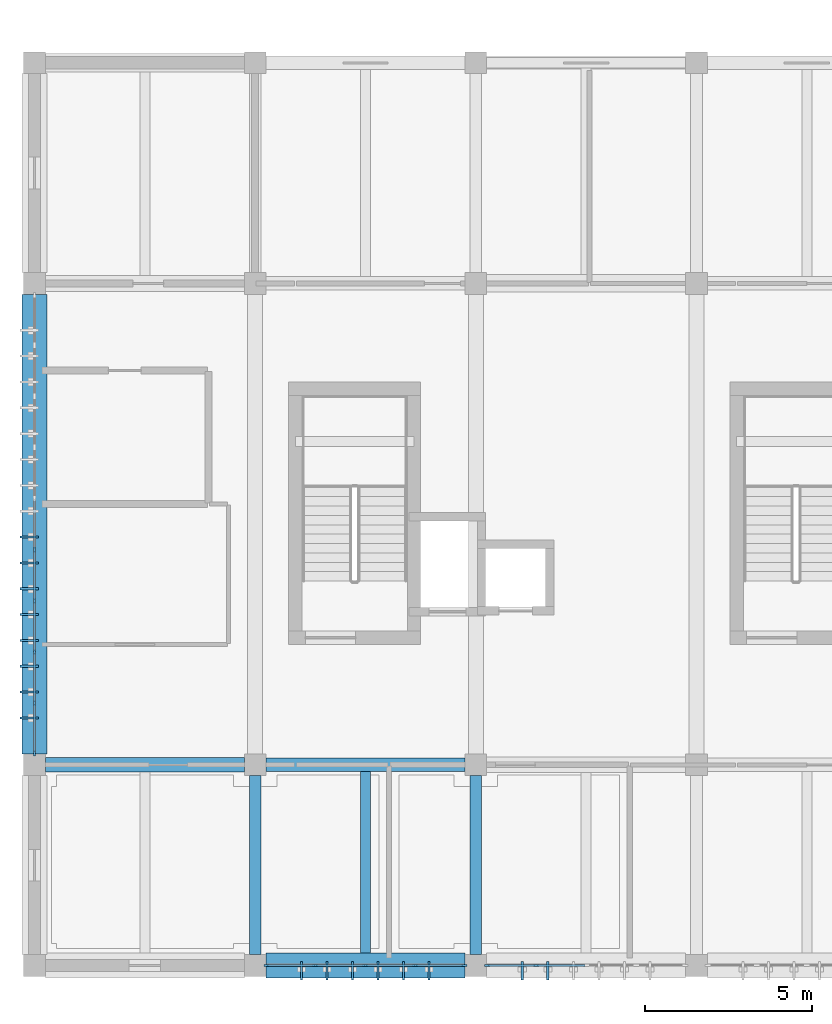
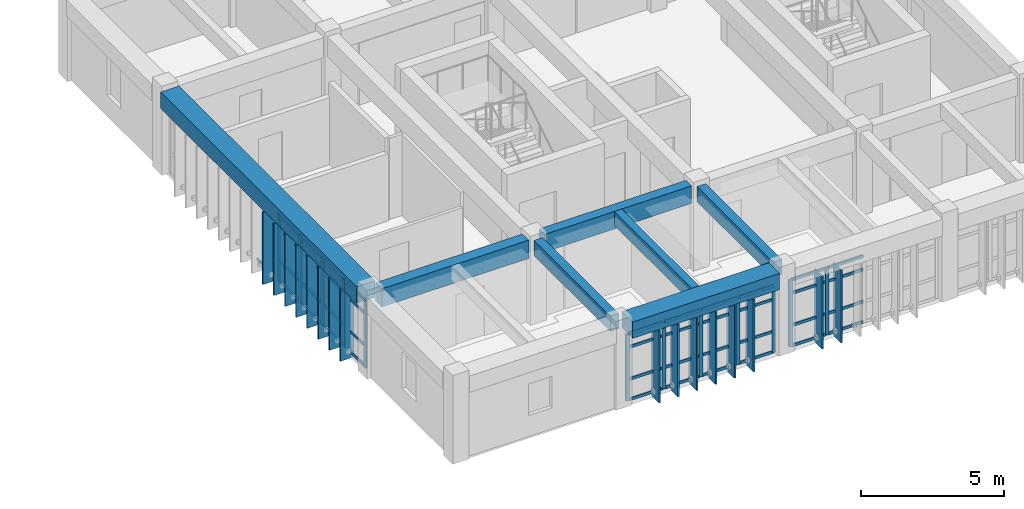
# One storey, part 2 of 9: 69 members, 7 beams, 3 elements without a shape of their own.
"""IFC4 building model written with IfcOpenShell, lengths in metres."""

from ifc_helpers import new_model, si_unit, direction, frame, origin, origin_2d, place, context, subcontext, project, spatial, rectangle, extrude, material, layer, layer_set, material_profile, profile_set, type_object, element, aggregate, save


model = new_model("IFC4")

# Units and contexts
model_context = context("Model", 3, precision=1e-05, world=origin(), true_north=direction((0.0, 1.0)))
body_context = subcontext(model_context, "Body", "Model", "MODEL_VIEW")
ifc_project = project(units=[si_unit("LENGTHUNIT", "METRE"), si_unit("AREAUNIT", "SQUARE_METRE"), si_unit("VOLUMEUNIT", "CUBIC_METRE"), si_unit("PLANEANGLEUNIT", "RADIAN"), si_unit("MASSUNIT", "GRAM", prefix="KILO")], contexts=[model_context])

# Site, building, storey
site_placement = place(None, origin())
site = spatial("IfcSite", under=ifc_project, at=site_placement, CompositionType="ELEMENT")
building_placement = place(site_placement, origin())
building = spatial("IfcBuilding", under=site, at=building_placement, Name="Miralva Faculty of Natural Sciences", CompositionType="ELEMENT")
storey_placement = place(building_placement, frame((0.0, 0.0, 33.0)))
storey = spatial("IfcBuildingStorey", under=building, at=storey_placement, Name="L07", CompositionType="ELEMENT", Elevation=33.0)

# Beams
ifc_material_1 = material(Name="Concrete C40/50", Category="concrete")
ifc_material_profile_1 = material_profile(ifc_material_1, rectangle(XDim=0.39990234375, YDim=0.75, at=origin_2d()), Name="RC 400x750")
ifc_profile_set_1 = profile_set([ifc_material_profile_1], Name="Concrete C40/50")
beam_type_1 = type_object("IfcBeamType", Name="BM-B03", PredefinedType="BEAM", material=ifc_profile_set_1)
beam_1_placement = place(storey_placement, frame((9.925048828125, 9.0, 3.205078125), z_axis=(1.0, 0.0, 0.0), x_axis=(0.0, 1.0, 0.0)))
element("IfcBeam", 1, at=beam_1_placement, inside=storey, type_object=beam_type_1, Name="Girder EW L07-6", PredefinedType="BEAM", context=body_context, shape_type="SweptSolid", body=[
    extrude(rectangle(XDim=0.39990234375, YDim=0.75, at=origin_2d()), origin(), (0.0, 0.0, 1.0), 5.949951171875),
])
ifc_material_profile_2 = material_profile(ifc_material_1, rectangle(XDim=0.35009765625, YDim=0.64990234375, at=origin_2d()), Name="RC 350x650")
ifc_profile_set_2 = profile_set([ifc_material_profile_2], Name="Concrete C40/50")
beam_type_2 = type_object("IfcBeamType", Name="BM-B05", PredefinedType="BEAM", material=ifc_profile_set_2)
for number, where, z_axis, x_axis, name in (
    (2, (9.60009765625, 3.324951171875, 3.2548828125), (0.0, 1.0, 0.0), (-1.0, 0.0, 0.0), "Girder NS L07-20"),
    (3, (16.199951171875, 3.324951171875, 3.2548828125), (0.0, 1.0, 0.0), (-1.0, 0.0, 0.0), "Girder NS L07-23"),
):
    element("IfcBeam", number, at=place(storey_placement, frame(where, z_axis=z_axis, x_axis=x_axis)), inside=storey, type_object=beam_type_2, Name=name, PredefinedType="BEAM", context=body_context, shape_type="SweptSolid", body=[
        extrude(rectangle(XDim=0.35009765625, YDim=0.64990234375, at=origin_2d()), origin(), (0.0, 0.0, 1.0), 5.35009765625),
    ])
ifc_material_profile_3 = material_profile(ifc_material_1, rectangle(XDim=0.43994140625, YDim=0.780029296875, at=origin_2d()), Name="RC 440x780")
ifc_profile_set_3 = profile_set([ifc_material_profile_3], Name="Concrete C40/50")
beam_type_3 = type_object("IfcBeamType", Name="BM-BG13", PredefinedType="BEAM", material=ifc_profile_set_3)
beam_2_placement = place(storey_placement, frame((3.324951171875, 9.0, 3.18994140625), z_axis=(1.0, 0.0, 0.0), x_axis=(0.0, 1.0, 0.0)))
element("IfcBeam", 4, at=beam_2_placement, inside=storey, type_object=beam_type_3, Name="Girder EW L07-5", PredefinedType="BEAM", context=body_context, shape_type="SweptSolid", body=[
    extrude(rectangle(XDim=0.43994140625, YDim=0.780029296875, at=origin_2d()), origin(), (0.0, 0.0, 1.0), 5.949951171875),
])
ifc_material_profile_4 = material_profile(ifc_material_1, rectangle(XDim=0.300048828125, YDim=0.60009765625, at=origin_2d()), Name="RC 300x600")
ifc_profile_set_4 = profile_set([ifc_material_profile_4], Name="Concrete C40/50")
beam_type_4 = type_object("IfcBeamType", Name="BM-J01", PredefinedType="JOIST", material=ifc_profile_set_4)
beam_3_placement = place(storey_placement, frame((12.89990234375, 3.375, 3.280029296875), z_axis=(0.0, 1.0, 0.0), x_axis=(-1.0, 0.0, 0.0)))
element("IfcBeam", 5, at=beam_3_placement, inside=storey, type_object=beam_type_4, Name="Floor joist L07-2", PredefinedType="JOIST", context=body_context, shape_type="SweptSolid", body=[
    extrude(rectangle(XDim=0.300048828125, YDim=0.60009765625, at=origin_2d()), origin(), (0.0, 0.0, 1.0), 5.425048828125),
])
ifc_material_profile_5 = material_profile(ifc_material_1, rectangle(XDim=0.75, YDim=0.699951171875, at=origin_2d()), Name="RC 750x700")
ifc_profile_set_5 = profile_set([ifc_material_profile_5], Name="Concrete C40/50")
beam_type_5 = type_object("IfcBeamType", Name="BM-SP01", PredefinedType="SPANDREL", material=ifc_profile_set_5)
beam_4_placement = place(storey_placement, frame((9.925048828125, 3.0, 3.22998046875), z_axis=(1.0, 0.0, 0.0), x_axis=(0.0, 1.0, 0.0)))
element("IfcBeam", 6, at=beam_4_placement, inside=storey, type_object=beam_type_5, Name="Girder EW L07-2", PredefinedType="SPANDREL", context=body_context, shape_type="SweptSolid", body=[
    extrude(rectangle(XDim=0.75, YDim=0.699951171875, at=origin_2d()), origin(), (0.0, 0.0, 1.0), 5.949951171875),
])
beam_5_placement = place(storey_placement, frame((3.0, 9.324951171875, 3.22998046875), z_axis=(0.0, 1.0, 0.0), x_axis=(-1.0, 0.0, 0.0)))
element("IfcBeam", 7, at=beam_5_placement, inside=storey, type_object=beam_type_5, Name="Girder NS L07-18", PredefinedType="SPANDREL", context=body_context, shape_type="SweptSolid", body=[
    extrude(rectangle(XDim=0.75, YDim=0.699951171875, at=origin_2d()), origin(), (0.0, 0.0, 1.0), 13.75),
])

# Curtain wall, members
ifc_material_2 = material(Name="Laminated solar-control glass", Category="glass")
ifc_layer = layer(ifc_material_2, 0.179931640625, Name="CW-TWR-L07")
ifc_layer_set = layer_set([ifc_layer], Name="Laminated solar-control glass")
curtain_wall_type = type_object("IfcCurtainWallType", Name="CW-TWR-L07", PredefinedType="USERDEFINED", material=ifc_layer_set)
curtain_wall_1_placement = place(storey_placement, origin())
curtain_wall_1 = element("IfcCurtainWall", 8, at=curtain_wall_1_placement, inside=storey, type_object=curtain_wall_type, Name="Curtain wall CW-15 L07-243", ObjectType="UNITISED CURTAIN WALL", PredefinedType="USERDEFINED")
ifc_material_3 = material(Name="Anodised aluminium", Category="aluminium")
ifc_material_profile_6 = material_profile(ifc_material_3, rectangle(XDim=0.06494140625, YDim=0.159912109375, at=origin_2d()), Name="MULLION 65x160")
ifc_profile_set_6 = profile_set([ifc_material_profile_6], Name="Anodised aluminium")
member_type_1 = type_object("IfcMemberType", Name="CW-M02", PredefinedType="MULLION", material=ifc_profile_set_6)
member_1_placement = place(storey_placement, frame((9.9375, 3.0, 0.0), z_axis=(0.0, 0.0, 1.0), x_axis=(0.0, 1.0, 0.0)))
member_1 = element("IfcMember", 9, at=member_1_placement, type_object=member_type_1, Name="CW-15 mullion 1", PredefinedType="MULLION", context=body_context, shape_type="SweptSolid", body=[
    extrude(rectangle(XDim=0.06494140625, YDim=0.159912109375, at=origin_2d()), origin(), (0.0, 0.0, 1.0), 2.875),
])
member_2_placement = place(storey_placement, frame((11.39990234375, 3.0, 0.0), z_axis=(0.0, 0.0, 1.0), x_axis=(0.0, 1.0, 0.0)))
member_2 = element("IfcMember", 10, at=member_2_placement, type_object=member_type_1, Name="CW-15 mullion 2", PredefinedType="MULLION", context=body_context, shape_type="SweptSolid", body=[
    extrude(rectangle(XDim=0.06494140625, YDim=0.159912109375, at=origin_2d()), origin(), (0.0, 0.0, 1.0), 2.875),
])
member_3_placement = place(storey_placement, frame((12.89501953125, 3.0, 0.0), z_axis=(0.0, 0.0, 1.0), x_axis=(0.0, 1.0, 0.0)))
member_3 = element("IfcMember", 11, at=member_3_placement, type_object=member_type_1, Name="CW-15 mullion 3", PredefinedType="MULLION", context=body_context, shape_type="SweptSolid", body=[
    extrude(rectangle(XDim=0.06494140625, YDim=0.159912109375, at=origin_2d()), origin(), (0.0, 0.0, 1.0), 2.875),
])
member_4_placement = place(storey_placement, frame((14.389892578125, 3.0, 0.0), z_axis=(0.0, 0.0, 1.0), x_axis=(0.0, 1.0, 0.0)))
member_4 = element("IfcMember", 12, at=member_4_placement, type_object=member_type_1, Name="CW-15 mullion 4", PredefinedType="MULLION", context=body_context, shape_type="SweptSolid", body=[
    extrude(rectangle(XDim=0.06494140625, YDim=0.159912109375, at=origin_2d()), origin(), (0.0, 0.0, 1.0), 2.875),
])
member_5_placement = place(storey_placement, frame((15.8525390625, 3.0, 0.0), z_axis=(0.0, 0.0, 1.0), x_axis=(0.0, 1.0, 0.0)))
member_5 = element("IfcMember", 13, at=member_5_placement, type_object=member_type_1, Name="CW-15 mullion 5", PredefinedType="MULLION", context=body_context, shape_type="SweptSolid", body=[
    extrude(rectangle(XDim=0.06494140625, YDim=0.159912109375, at=origin_2d()), origin(), (0.0, 0.0, 1.0), 2.875),
])

curtain_wall_2_placement = place(storey_placement, origin())
curtain_wall_2 = element("IfcCurtainWall", 14, at=curtain_wall_2_placement, inside=storey, type_object=curtain_wall_type, Name="Curtain wall CW-15 L07-244", ObjectType="UNITISED CURTAIN WALL", PredefinedType="USERDEFINED")
member_6_placement = place(storey_placement, frame((16.53759765625, 3.0, 0.0), z_axis=(0.0, 0.0, 1.0), x_axis=(0.0, 1.0, 0.0)))
member_6 = element("IfcMember", 15, at=member_6_placement, type_object=member_type_1, Name="CW-15 mullion 1", PredefinedType="MULLION", context=body_context, shape_type="SweptSolid", body=[
    extrude(rectangle(XDim=0.06494140625, YDim=0.159912109375, at=origin_2d()), origin(), (0.0, 0.0, 1.0), 2.875),
])
member_7_placement = place(storey_placement, frame((18.00244140625, 3.0, 0.0), z_axis=(0.0, 0.0, 1.0), x_axis=(0.0, 1.0, 0.0)))
member_7 = element("IfcMember", 16, at=member_7_placement, type_object=member_type_1, Name="CW-15 mullion 2", PredefinedType="MULLION", context=body_context, shape_type="SweptSolid", body=[
    extrude(rectangle(XDim=0.06494140625, YDim=0.159912109375, at=origin_2d()), origin(), (0.0, 0.0, 1.0), 2.875),
])

curtain_wall_3_placement = place(storey_placement, origin())
curtain_wall_3 = element("IfcCurtainWall", 17, at=curtain_wall_3_placement, inside=storey, type_object=curtain_wall_type, Name="Curtain wall CW-15 L07-246", ObjectType="UNITISED CURTAIN WALL", PredefinedType="USERDEFINED")
member_8_placement = place(storey_placement, frame((3.0, 9.347412109375, 0.0), z_axis=(0.0, 0.0, 1.0), x_axis=(-1.0, 0.0, 0.0)))
member_8 = element("IfcMember", 18, at=member_8_placement, type_object=member_type_1, Name="CW-15 mullion 1", PredefinedType="MULLION", context=body_context, shape_type="SweptSolid", body=[
    extrude(rectangle(XDim=0.06494140625, YDim=0.159912109375, at=origin_2d()), origin(), (0.0, 0.0, 1.0), 2.875),
])
member_9_placement = place(storey_placement, frame((3.0, 10.844970703125, 0.0), z_axis=(0.0, 0.0, 1.0), x_axis=(-1.0, 0.0, 0.0)))
member_9 = element("IfcMember", 19, at=member_9_placement, type_object=member_type_1, Name="CW-15 mullion 2", PredefinedType="MULLION", context=body_context, shape_type="SweptSolid", body=[
    extrude(rectangle(XDim=0.06494140625, YDim=0.159912109375, at=origin_2d()), origin(), (0.0, 0.0, 1.0), 2.875),
])
member_10_placement = place(storey_placement, frame((3.0, 12.375, 0.0), z_axis=(0.0, 0.0, 1.0), x_axis=(-1.0, 0.0, 0.0)))
member_10 = element("IfcMember", 20, at=member_10_placement, type_object=member_type_1, Name="CW-15 mullion 3", PredefinedType="MULLION", context=body_context, shape_type="SweptSolid", body=[
    extrude(rectangle(XDim=0.06494140625, YDim=0.159912109375, at=origin_2d()), origin(), (0.0, 0.0, 1.0), 2.875),
])
member_11_placement = place(storey_placement, frame((3.0, 13.905029296875, 0.0), z_axis=(0.0, 0.0, 1.0), x_axis=(-1.0, 0.0, 0.0)))
member_11 = element("IfcMember", 21, at=member_11_placement, type_object=member_type_1, Name="CW-15 mullion 4", PredefinedType="MULLION", context=body_context, shape_type="SweptSolid", body=[
    extrude(rectangle(XDim=0.06494140625, YDim=0.159912109375, at=origin_2d()), origin(), (0.0, 0.0, 1.0), 2.875),
])
member_12_placement = place(storey_placement, frame((3.0, 15.43505859375, 0.0), z_axis=(0.0, 0.0, 1.0), x_axis=(-1.0, 0.0, 0.0)))
member_12 = element("IfcMember", 22, at=member_12_placement, type_object=member_type_1, Name="CW-15 mullion 5", PredefinedType="MULLION", context=body_context, shape_type="SweptSolid", body=[
    extrude(rectangle(XDim=0.06494140625, YDim=0.159912109375, at=origin_2d()), origin(), (0.0, 0.0, 1.0), 2.875),
])

# Member
ifc_material_profile_7 = material_profile(ifc_material_3, rectangle(XDim=0.06005859375, YDim=0.1201171875, at=origin_2d()), Name="TRANSOM 60x120")
ifc_profile_set_7 = profile_set([ifc_material_profile_7], Name="Anodised aluminium")
member_type_2 = type_object("IfcMemberType", Name="CW-T02", PredefinedType="USERDEFINED", material=ifc_profile_set_7)
member_13_placement = place(storey_placement, frame((9.969970703125, 3.0, 0.030029296875), z_axis=(1.0, 0.0, 0.0), x_axis=(0.0, 1.0, 0.0)))
member_13 = element("IfcMember", 23, at=member_13_placement, type_object=member_type_2, Name="CW-15 transom 1.1", ObjectType="TRANSOM", PredefinedType="USERDEFINED", context=body_context, shape_type="SweptSolid", body=[
    extrude(rectangle(XDim=0.06005859375, YDim=0.1201171875, at=origin_2d()), origin(), (0.0, 0.0, 1.0), 1.3974609375),
])

member_14_placement = place(storey_placement, frame((9.969970703125, 3.0, 0.89990234375), z_axis=(1.0, 0.0, 0.0), x_axis=(0.0, 1.0, 0.0)))
member_14 = element("IfcMember", 24, at=member_14_placement, type_object=member_type_2, Name="CW-15 transom 1.2", ObjectType="TRANSOM", PredefinedType="USERDEFINED", context=body_context, shape_type="SweptSolid", body=[
    extrude(rectangle(XDim=0.06005859375, YDim=0.1201171875, at=origin_2d()), origin(), (0.0, 0.0, 1.0), 1.3974609375),
])

member_15_placement = place(storey_placement, frame((9.969970703125, 3.0, 2.27490234375), z_axis=(1.0, 0.0, 0.0), x_axis=(0.0, 1.0, 0.0)))
member_15 = element("IfcMember", 25, at=member_15_placement, type_object=member_type_2, Name="CW-15 transom 1.3", ObjectType="TRANSOM", PredefinedType="USERDEFINED", context=body_context, shape_type="SweptSolid", body=[
    extrude(rectangle(XDim=0.06005859375, YDim=0.1201171875, at=origin_2d()), origin(), (0.0, 0.0, 1.0), 1.3974609375),
])

member_16_placement = place(storey_placement, frame((9.969970703125, 3.0, 2.844970703125), z_axis=(1.0, 0.0, 0.0), x_axis=(0.0, 1.0, 0.0)))
member_16 = element("IfcMember", 26, at=member_16_placement, type_object=member_type_2, Name="CW-15 transom 1.4", ObjectType="TRANSOM", PredefinedType="USERDEFINED", context=body_context, shape_type="SweptSolid", body=[
    extrude(rectangle(XDim=0.06005859375, YDim=0.1201171875, at=origin_2d()), origin(), (0.0, 0.0, 1.0), 1.3974609375),
])

member_17_placement = place(storey_placement, frame((11.4326171875, 3.0, 0.030029296875), z_axis=(1.0, 0.0, 0.0), x_axis=(0.0, 1.0, 0.0)))
member_17 = element("IfcMember", 27, at=member_17_placement, type_object=member_type_2, Name="CW-15 transom 2.1", ObjectType="TRANSOM", PredefinedType="USERDEFINED", context=body_context, shape_type="SweptSolid", body=[
    extrude(rectangle(XDim=0.06005859375, YDim=0.1201171875, at=origin_2d()), origin(), (0.0, 0.0, 1.0), 1.429931640625),
])

member_18_placement = place(storey_placement, frame((11.4326171875, 3.0, 0.89990234375), z_axis=(1.0, 0.0, 0.0), x_axis=(0.0, 1.0, 0.0)))
member_18 = element("IfcMember", 28, at=member_18_placement, type_object=member_type_2, Name="CW-15 transom 2.2", ObjectType="TRANSOM", PredefinedType="USERDEFINED", context=body_context, shape_type="SweptSolid", body=[
    extrude(rectangle(XDim=0.06005859375, YDim=0.1201171875, at=origin_2d()), origin(), (0.0, 0.0, 1.0), 1.429931640625),
])

member_19_placement = place(storey_placement, frame((11.4326171875, 3.0, 2.27490234375), z_axis=(1.0, 0.0, 0.0), x_axis=(0.0, 1.0, 0.0)))
member_19 = element("IfcMember", 29, at=member_19_placement, type_object=member_type_2, Name="CW-15 transom 2.3", ObjectType="TRANSOM", PredefinedType="USERDEFINED", context=body_context, shape_type="SweptSolid", body=[
    extrude(rectangle(XDim=0.06005859375, YDim=0.1201171875, at=origin_2d()), origin(), (0.0, 0.0, 1.0), 1.429931640625),
])

member_20_placement = place(storey_placement, frame((11.4326171875, 3.0, 2.844970703125), z_axis=(1.0, 0.0, 0.0), x_axis=(0.0, 1.0, 0.0)))
member_20 = element("IfcMember", 30, at=member_20_placement, type_object=member_type_2, Name="CW-15 transom 2.4", ObjectType="TRANSOM", PredefinedType="USERDEFINED", context=body_context, shape_type="SweptSolid", body=[
    extrude(rectangle(XDim=0.06005859375, YDim=0.1201171875, at=origin_2d()), origin(), (0.0, 0.0, 1.0), 1.429931640625),
])

member_21_placement = place(storey_placement, frame((12.927490234375, 3.0, 0.030029296875), z_axis=(1.0, 0.0, 0.0), x_axis=(0.0, 1.0, 0.0)))
member_21 = element("IfcMember", 31, at=member_21_placement, type_object=member_type_2, Name="CW-15 transom 3.1", ObjectType="TRANSOM", PredefinedType="USERDEFINED", context=body_context, shape_type="SweptSolid", body=[
    extrude(rectangle(XDim=0.06005859375, YDim=0.1201171875, at=origin_2d()), origin(), (0.0, 0.0, 1.0), 1.429931640625),
])

member_22_placement = place(storey_placement, frame((12.927490234375, 3.0, 0.89990234375), z_axis=(1.0, 0.0, 0.0), x_axis=(0.0, 1.0, 0.0)))
member_22 = element("IfcMember", 32, at=member_22_placement, type_object=member_type_2, Name="CW-15 transom 3.2", ObjectType="TRANSOM", PredefinedType="USERDEFINED", context=body_context, shape_type="SweptSolid", body=[
    extrude(rectangle(XDim=0.06005859375, YDim=0.1201171875, at=origin_2d()), origin(), (0.0, 0.0, 1.0), 1.429931640625),
])

member_23_placement = place(storey_placement, frame((12.927490234375, 3.0, 2.27490234375), z_axis=(1.0, 0.0, 0.0), x_axis=(0.0, 1.0, 0.0)))
member_23 = element("IfcMember", 33, at=member_23_placement, type_object=member_type_2, Name="CW-15 transom 3.3", ObjectType="TRANSOM", PredefinedType="USERDEFINED", context=body_context, shape_type="SweptSolid", body=[
    extrude(rectangle(XDim=0.06005859375, YDim=0.1201171875, at=origin_2d()), origin(), (0.0, 0.0, 1.0), 1.429931640625),
])

member_24_placement = place(storey_placement, frame((12.927490234375, 3.0, 2.844970703125), z_axis=(1.0, 0.0, 0.0), x_axis=(0.0, 1.0, 0.0)))
member_24 = element("IfcMember", 34, at=member_24_placement, type_object=member_type_2, Name="CW-15 transom 3.4", ObjectType="TRANSOM", PredefinedType="USERDEFINED", context=body_context, shape_type="SweptSolid", body=[
    extrude(rectangle(XDim=0.06005859375, YDim=0.1201171875, at=origin_2d()), origin(), (0.0, 0.0, 1.0), 1.429931640625),
])

member_25_placement = place(storey_placement, frame((14.422607421875, 3.0, 0.030029296875), z_axis=(1.0, 0.0, 0.0), x_axis=(0.0, 1.0, 0.0)))
member_25 = element("IfcMember", 35, at=member_25_placement, type_object=member_type_2, Name="CW-15 transom 4.1", ObjectType="TRANSOM", PredefinedType="USERDEFINED", context=body_context, shape_type="SweptSolid", body=[
    extrude(rectangle(XDim=0.06005859375, YDim=0.1201171875, at=origin_2d()), origin(), (0.0, 0.0, 1.0), 1.3974609375),
])

member_26_placement = place(storey_placement, frame((14.422607421875, 3.0, 0.89990234375), z_axis=(1.0, 0.0, 0.0), x_axis=(0.0, 1.0, 0.0)))
member_26 = element("IfcMember", 36, at=member_26_placement, type_object=member_type_2, Name="CW-15 transom 4.2", ObjectType="TRANSOM", PredefinedType="USERDEFINED", context=body_context, shape_type="SweptSolid", body=[
    extrude(rectangle(XDim=0.06005859375, YDim=0.1201171875, at=origin_2d()), origin(), (0.0, 0.0, 1.0), 1.3974609375),
])

member_27_placement = place(storey_placement, frame((14.422607421875, 3.0, 2.27490234375), z_axis=(1.0, 0.0, 0.0), x_axis=(0.0, 1.0, 0.0)))
member_27 = element("IfcMember", 37, at=member_27_placement, type_object=member_type_2, Name="CW-15 transom 4.3", ObjectType="TRANSOM", PredefinedType="USERDEFINED", context=body_context, shape_type="SweptSolid", body=[
    extrude(rectangle(XDim=0.06005859375, YDim=0.1201171875, at=origin_2d()), origin(), (0.0, 0.0, 1.0), 1.3974609375),
])

member_28_placement = place(storey_placement, frame((14.422607421875, 3.0, 2.844970703125), z_axis=(1.0, 0.0, 0.0), x_axis=(0.0, 1.0, 0.0)))
member_28 = element("IfcMember", 38, at=member_28_placement, type_object=member_type_2, Name="CW-15 transom 4.4", ObjectType="TRANSOM", PredefinedType="USERDEFINED", context=body_context, shape_type="SweptSolid", body=[
    extrude(rectangle(XDim=0.06005859375, YDim=0.1201171875, at=origin_2d()), origin(), (0.0, 0.0, 1.0), 1.3974609375),
])

aggregate(curtain_wall_1, [member_1, member_2, member_3, member_4, member_5, member_13, member_14, member_15, member_16, member_17, member_18, member_19, member_20, member_21, member_22, member_23, member_24, member_25, member_26, member_27, member_28])

member_29_placement = place(storey_placement, frame((16.570068359375, 3.0, 0.030029296875), z_axis=(1.0, 0.0, 0.0), x_axis=(0.0, 1.0, 0.0)))
member_29 = element("IfcMember", 39, at=member_29_placement, type_object=member_type_2, Name="CW-15 transom 1.1", ObjectType="TRANSOM", PredefinedType="USERDEFINED", context=body_context, shape_type="SweptSolid", body=[
    extrude(rectangle(XDim=0.06005859375, YDim=0.1201171875, at=origin_2d()), origin(), (0.0, 0.0, 1.0), 1.39990234375),
])

member_30_placement = place(storey_placement, frame((16.570068359375, 3.0, 0.89990234375), z_axis=(1.0, 0.0, 0.0), x_axis=(0.0, 1.0, 0.0)))
member_30 = element("IfcMember", 40, at=member_30_placement, type_object=member_type_2, Name="CW-15 transom 1.2", ObjectType="TRANSOM", PredefinedType="USERDEFINED", context=body_context, shape_type="SweptSolid", body=[
    extrude(rectangle(XDim=0.06005859375, YDim=0.1201171875, at=origin_2d()), origin(), (0.0, 0.0, 1.0), 1.39990234375),
])

member_31_placement = place(storey_placement, frame((16.570068359375, 3.0, 2.27490234375), z_axis=(1.0, 0.0, 0.0), x_axis=(0.0, 1.0, 0.0)))
member_31 = element("IfcMember", 41, at=member_31_placement, type_object=member_type_2, Name="CW-15 transom 1.3", ObjectType="TRANSOM", PredefinedType="USERDEFINED", context=body_context, shape_type="SweptSolid", body=[
    extrude(rectangle(XDim=0.06005859375, YDim=0.1201171875, at=origin_2d()), origin(), (0.0, 0.0, 1.0), 1.39990234375),
])

member_32_placement = place(storey_placement, frame((16.570068359375, 3.0, 2.844970703125), z_axis=(1.0, 0.0, 0.0), x_axis=(0.0, 1.0, 0.0)))
member_32 = element("IfcMember", 42, at=member_32_placement, type_object=member_type_2, Name="CW-15 transom 1.4", ObjectType="TRANSOM", PredefinedType="USERDEFINED", context=body_context, shape_type="SweptSolid", body=[
    extrude(rectangle(XDim=0.06005859375, YDim=0.1201171875, at=origin_2d()), origin(), (0.0, 0.0, 1.0), 1.39990234375),
])

member_33_placement = place(storey_placement, frame((18.034912109375, 3.0, 0.030029296875), z_axis=(1.0, 0.0, 0.0), x_axis=(0.0, 1.0, 0.0)))
member_33 = element("IfcMember", 43, at=member_33_placement, type_object=member_type_2, Name="CW-15 transom 2.1", ObjectType="TRANSOM", PredefinedType="USERDEFINED", context=body_context, shape_type="SweptSolid", body=[
    extrude(rectangle(XDim=0.06005859375, YDim=0.1201171875, at=origin_2d()), origin(), (0.0, 0.0, 1.0), 1.4326171875),
])

member_34_placement = place(storey_placement, frame((18.034912109375, 3.0, 0.89990234375), z_axis=(1.0, 0.0, 0.0), x_axis=(0.0, 1.0, 0.0)))
member_34 = element("IfcMember", 44, at=member_34_placement, type_object=member_type_2, Name="CW-15 transom 2.2", ObjectType="TRANSOM", PredefinedType="USERDEFINED", context=body_context, shape_type="SweptSolid", body=[
    extrude(rectangle(XDim=0.06005859375, YDim=0.1201171875, at=origin_2d()), origin(), (0.0, 0.0, 1.0), 1.4326171875),
])

member_35_placement = place(storey_placement, frame((18.034912109375, 3.0, 2.27490234375), z_axis=(1.0, 0.0, 0.0), x_axis=(0.0, 1.0, 0.0)))
member_35 = element("IfcMember", 45, at=member_35_placement, type_object=member_type_2, Name="CW-15 transom 2.3", ObjectType="TRANSOM", PredefinedType="USERDEFINED", context=body_context, shape_type="SweptSolid", body=[
    extrude(rectangle(XDim=0.06005859375, YDim=0.1201171875, at=origin_2d()), origin(), (0.0, 0.0, 1.0), 1.4326171875),
])

member_36_placement = place(storey_placement, frame((18.034912109375, 3.0, 2.844970703125), z_axis=(1.0, 0.0, 0.0), x_axis=(0.0, 1.0, 0.0)))
member_36 = element("IfcMember", 46, at=member_36_placement, type_object=member_type_2, Name="CW-15 transom 2.4", ObjectType="TRANSOM", PredefinedType="USERDEFINED", context=body_context, shape_type="SweptSolid", body=[
    extrude(rectangle(XDim=0.06005859375, YDim=0.1201171875, at=origin_2d()), origin(), (0.0, 0.0, 1.0), 1.4326171875),
])

aggregate(curtain_wall_2, [member_6, member_7, member_29, member_30, member_31, member_32, member_33, member_34, member_35, member_36])

member_37_placement = place(storey_placement, frame((3.0, 9.3798828125, 0.030029296875), z_axis=(0.0, 1.0, 0.0), x_axis=(-1.0, 0.0, 0.0)))
member_37 = element("IfcMember", 47, at=member_37_placement, type_object=member_type_2, Name="CW-15 transom 1.1", ObjectType="TRANSOM", PredefinedType="USERDEFINED", context=body_context, shape_type="SweptSolid", body=[
    extrude(rectangle(XDim=0.06005859375, YDim=0.1201171875, at=origin_2d()), origin(), (0.0, 0.0, 1.0), 1.4326171875),
])

member_38_placement = place(storey_placement, frame((3.0, 9.3798828125, 0.89990234375), z_axis=(0.0, 1.0, 0.0), x_axis=(-1.0, 0.0, 0.0)))
member_38 = element("IfcMember", 48, at=member_38_placement, type_object=member_type_2, Name="CW-15 transom 1.2", ObjectType="TRANSOM", PredefinedType="USERDEFINED", context=body_context, shape_type="SweptSolid", body=[
    extrude(rectangle(XDim=0.06005859375, YDim=0.1201171875, at=origin_2d()), origin(), (0.0, 0.0, 1.0), 1.4326171875),
])

member_39_placement = place(storey_placement, frame((3.0, 9.3798828125, 2.27490234375), z_axis=(0.0, 1.0, 0.0), x_axis=(-1.0, 0.0, 0.0)))
member_39 = element("IfcMember", 49, at=member_39_placement, type_object=member_type_2, Name="CW-15 transom 1.3", ObjectType="TRANSOM", PredefinedType="USERDEFINED", context=body_context, shape_type="SweptSolid", body=[
    extrude(rectangle(XDim=0.06005859375, YDim=0.1201171875, at=origin_2d()), origin(), (0.0, 0.0, 1.0), 1.4326171875),
])

member_40_placement = place(storey_placement, frame((3.0, 9.3798828125, 2.844970703125), z_axis=(0.0, 1.0, 0.0), x_axis=(-1.0, 0.0, 0.0)))
member_40 = element("IfcMember", 50, at=member_40_placement, type_object=member_type_2, Name="CW-15 transom 1.4", ObjectType="TRANSOM", PredefinedType="USERDEFINED", context=body_context, shape_type="SweptSolid", body=[
    extrude(rectangle(XDim=0.06005859375, YDim=0.1201171875, at=origin_2d()), origin(), (0.0, 0.0, 1.0), 1.4326171875),
])

member_41_placement = place(storey_placement, frame((3.0, 10.87744140625, 0.030029296875), z_axis=(0.0, 1.0, 0.0), x_axis=(-1.0, 0.0, 0.0)))
member_41 = element("IfcMember", 51, at=member_41_placement, type_object=member_type_2, Name="CW-15 transom 2.1", ObjectType="TRANSOM", PredefinedType="USERDEFINED", context=body_context, shape_type="SweptSolid", body=[
    extrude(rectangle(XDim=0.06005859375, YDim=0.1201171875, at=origin_2d()), origin(), (0.0, 0.0, 1.0), 1.465087890625),
])

member_42_placement = place(storey_placement, frame((3.0, 10.87744140625, 0.89990234375), z_axis=(0.0, 1.0, 0.0), x_axis=(-1.0, 0.0, 0.0)))
member_42 = element("IfcMember", 52, at=member_42_placement, type_object=member_type_2, Name="CW-15 transom 2.2", ObjectType="TRANSOM", PredefinedType="USERDEFINED", context=body_context, shape_type="SweptSolid", body=[
    extrude(rectangle(XDim=0.06005859375, YDim=0.1201171875, at=origin_2d()), origin(), (0.0, 0.0, 1.0), 1.465087890625),
])

member_43_placement = place(storey_placement, frame((3.0, 10.87744140625, 2.27490234375), z_axis=(0.0, 1.0, 0.0), x_axis=(-1.0, 0.0, 0.0)))
member_43 = element("IfcMember", 53, at=member_43_placement, type_object=member_type_2, Name="CW-15 transom 2.3", ObjectType="TRANSOM", PredefinedType="USERDEFINED", context=body_context, shape_type="SweptSolid", body=[
    extrude(rectangle(XDim=0.06005859375, YDim=0.1201171875, at=origin_2d()), origin(), (0.0, 0.0, 1.0), 1.465087890625),
])

member_44_placement = place(storey_placement, frame((3.0, 10.87744140625, 2.844970703125), z_axis=(0.0, 1.0, 0.0), x_axis=(-1.0, 0.0, 0.0)))
member_44 = element("IfcMember", 54, at=member_44_placement, type_object=member_type_2, Name="CW-15 transom 2.4", ObjectType="TRANSOM", PredefinedType="USERDEFINED", context=body_context, shape_type="SweptSolid", body=[
    extrude(rectangle(XDim=0.06005859375, YDim=0.1201171875, at=origin_2d()), origin(), (0.0, 0.0, 1.0), 1.465087890625),
])

member_45_placement = place(storey_placement, frame((3.0, 12.407470703125, 0.030029296875), z_axis=(0.0, 1.0, 0.0), x_axis=(-1.0, 0.0, 0.0)))
member_45 = element("IfcMember", 55, at=member_45_placement, type_object=member_type_2, Name="CW-15 transom 3.1", ObjectType="TRANSOM", PredefinedType="USERDEFINED", context=body_context, shape_type="SweptSolid", body=[
    extrude(rectangle(XDim=0.06005859375, YDim=0.1201171875, at=origin_2d()), origin(), (0.0, 0.0, 1.0), 1.465087890625),
])

member_46_placement = place(storey_placement, frame((3.0, 12.407470703125, 0.89990234375), z_axis=(0.0, 1.0, 0.0), x_axis=(-1.0, 0.0, 0.0)))
member_46 = element("IfcMember", 56, at=member_46_placement, type_object=member_type_2, Name="CW-15 transom 3.2", ObjectType="TRANSOM", PredefinedType="USERDEFINED", context=body_context, shape_type="SweptSolid", body=[
    extrude(rectangle(XDim=0.06005859375, YDim=0.1201171875, at=origin_2d()), origin(), (0.0, 0.0, 1.0), 1.465087890625),
])

member_47_placement = place(storey_placement, frame((3.0, 12.407470703125, 2.27490234375), z_axis=(0.0, 1.0, 0.0), x_axis=(-1.0, 0.0, 0.0)))
member_47 = element("IfcMember", 57, at=member_47_placement, type_object=member_type_2, Name="CW-15 transom 3.3", ObjectType="TRANSOM", PredefinedType="USERDEFINED", context=body_context, shape_type="SweptSolid", body=[
    extrude(rectangle(XDim=0.06005859375, YDim=0.1201171875, at=origin_2d()), origin(), (0.0, 0.0, 1.0), 1.465087890625),
])

member_48_placement = place(storey_placement, frame((3.0, 12.407470703125, 2.844970703125), z_axis=(0.0, 1.0, 0.0), x_axis=(-1.0, 0.0, 0.0)))
member_48 = element("IfcMember", 58, at=member_48_placement, type_object=member_type_2, Name="CW-15 transom 3.4", ObjectType="TRANSOM", PredefinedType="USERDEFINED", context=body_context, shape_type="SweptSolid", body=[
    extrude(rectangle(XDim=0.06005859375, YDim=0.1201171875, at=origin_2d()), origin(), (0.0, 0.0, 1.0), 1.465087890625),
])

member_49_placement = place(storey_placement, frame((3.0, 13.9375, 0.030029296875), z_axis=(0.0, 1.0, 0.0), x_axis=(-1.0, 0.0, 0.0)))
member_49 = element("IfcMember", 59, at=member_49_placement, type_object=member_type_2, Name="CW-15 transom 4.1", ObjectType="TRANSOM", PredefinedType="USERDEFINED", context=body_context, shape_type="SweptSolid", body=[
    extrude(rectangle(XDim=0.06005859375, YDim=0.1201171875, at=origin_2d()), origin(), (0.0, 0.0, 1.0), 1.465087890625),
])

member_50_placement = place(storey_placement, frame((3.0, 13.9375, 0.89990234375), z_axis=(0.0, 1.0, 0.0), x_axis=(-1.0, 0.0, 0.0)))
member_50 = element("IfcMember", 60, at=member_50_placement, type_object=member_type_2, Name="CW-15 transom 4.2", ObjectType="TRANSOM", PredefinedType="USERDEFINED", context=body_context, shape_type="SweptSolid", body=[
    extrude(rectangle(XDim=0.06005859375, YDim=0.1201171875, at=origin_2d()), origin(), (0.0, 0.0, 1.0), 1.465087890625),
])

member_51_placement = place(storey_placement, frame((3.0, 13.9375, 2.27490234375), z_axis=(0.0, 1.0, 0.0), x_axis=(-1.0, 0.0, 0.0)))
member_51 = element("IfcMember", 61, at=member_51_placement, type_object=member_type_2, Name="CW-15 transom 4.3", ObjectType="TRANSOM", PredefinedType="USERDEFINED", context=body_context, shape_type="SweptSolid", body=[
    extrude(rectangle(XDim=0.06005859375, YDim=0.1201171875, at=origin_2d()), origin(), (0.0, 0.0, 1.0), 1.465087890625),
])

member_52_placement = place(storey_placement, frame((3.0, 13.9375, 2.844970703125), z_axis=(0.0, 1.0, 0.0), x_axis=(-1.0, 0.0, 0.0)))
member_52 = element("IfcMember", 62, at=member_52_placement, type_object=member_type_2, Name="CW-15 transom 4.4", ObjectType="TRANSOM", PredefinedType="USERDEFINED", context=body_context, shape_type="SweptSolid", body=[
    extrude(rectangle(XDim=0.06005859375, YDim=0.1201171875, at=origin_2d()), origin(), (0.0, 0.0, 1.0), 1.465087890625),
])

member_53_placement = place(storey_placement, frame((3.0, 15.467529296875, 0.030029296875), z_axis=(0.0, 1.0, 0.0), x_axis=(-1.0, 0.0, 0.0)))
member_53 = element("IfcMember", 63, at=member_53_placement, type_object=member_type_2, Name="CW-15 transom 5.1", ObjectType="TRANSOM", PredefinedType="USERDEFINED", context=body_context, shape_type="SweptSolid", body=[
    extrude(rectangle(XDim=0.06005859375, YDim=0.1201171875, at=origin_2d()), origin(), (0.0, 0.0, 1.0), 1.465087890625),
])

aggregate(curtain_wall_3, [member_8, member_9, member_10, member_11, member_12, member_37, member_38, member_39, member_40, member_41, member_42, member_43, member_44, member_45, member_46, member_47, member_48, member_49, member_50, member_51, member_52, member_53])

# Members
ifc_material_profile_8 = material_profile(ifc_material_3, rectangle(XDim=0.06494140625, YDim=0.550048828125, at=origin_2d()), Name="FIN 550x65")
ifc_profile_set_8 = profile_set([ifc_material_profile_8], Name="Anodised aluminium")
member_type_3 = type_object("IfcMemberType", Name="MEM-SF03", PredefinedType="USERDEFINED", material=ifc_profile_set_8)
for number, where, z_axis, x_axis, name in (
    (64, (10.98681640625, 2.840087890625, -0.219970703125), (0.0, 0.0, 1.0), (1.0, 0.0, 0.0), "Solar shading fin SF-03 L07-400"),
    (65, (11.75, 2.840087890625, -0.219970703125), (0.0, 0.0, 1.0), (1.0, 0.0, 0.0), "Solar shading fin SF-03 L07-401"),
    (66, (12.51318359375, 2.840087890625, -0.219970703125), (0.0, 0.0, 1.0), (1.0, 0.0, 0.0), "Solar shading fin SF-03 L07-402"),
    (67, (13.276611328125, 2.840087890625, -0.219970703125), (0.0, 0.0, 1.0), (1.0, 0.0, 0.0), "Solar shading fin SF-03 L07-403"),
    (68, (14.0400390625, 2.840087890625, -0.219970703125), (0.0, 0.0, 1.0), (1.0, 0.0, 0.0), "Solar shading fin SF-03 L07-404"),
    (69, (14.80322265625, 2.840087890625, -0.219970703125), (0.0, 0.0, 1.0), (1.0, 0.0, 0.0), "Solar shading fin SF-03 L07-405"),
    (70, (17.58740234375, 2.840087890625, -0.219970703125), (0.0, 0.0, 1.0), (1.0, 0.0, 0.0), "Solar shading fin SF-03 L07-406"),
    (71, (18.3525390625, 2.840087890625, -0.219970703125), (0.0, 0.0, 1.0), (1.0, 0.0, 0.0), "Solar shading fin SF-03 L07-407"),
    (72, (2.840087890625, 10.401611328125, -0.219970703125), (0.0, 0.0, 1.0), (0.0, -1.0, 0.0), "Solar shading fin SF-03 L07-418"),
    (73, (2.840087890625, 11.1748046875, -0.219970703125), (0.0, 0.0, 1.0), (0.0, -1.0, 0.0), "Solar shading fin SF-03 L07-419"),
    (74, (2.840087890625, 11.94775390625, -0.219970703125), (0.0, 0.0, 1.0), (0.0, -1.0, 0.0), "Solar shading fin SF-03 L07-420"),
    (75, (2.840087890625, 12.720947265625, -0.219970703125), (0.0, 0.0, 1.0), (0.0, -1.0, 0.0), "Solar shading fin SF-03 L07-421"),
    (76, (2.840087890625, 13.494140625, -0.219970703125), (0.0, 0.0, 1.0), (0.0, -1.0, 0.0), "Solar shading fin SF-03 L07-422"),
    (77, (2.840087890625, 14.26708984375, -0.219970703125), (0.0, 0.0, 1.0), (0.0, -1.0, 0.0), "Solar shading fin SF-03 L07-423"),
    (78, (2.840087890625, 15.040283203125, -0.219970703125), (0.0, 0.0, 1.0), (0.0, -1.0, 0.0), "Solar shading fin SF-03 L07-424"),
    (79, (2.840087890625, 15.8134765625, -0.219970703125), (0.0, 0.0, 1.0), (0.0, -1.0, 0.0), "Solar shading fin SF-03 L07-425"),
):
    element("IfcMember", number, at=place(storey_placement, frame(where, z_axis=z_axis, x_axis=x_axis)), inside=storey, type_object=member_type_3, Name=name, ObjectType="SUNSHADE", PredefinedType="USERDEFINED", context=body_context, shape_type="SweptSolid", body=[
        extrude(rectangle(XDim=0.06494140625, YDim=0.550048828125, at=origin_2d()), origin(), (0.0, 0.0, 1.0), 3.094970703125),
    ])

save(model, "model.ifc")
